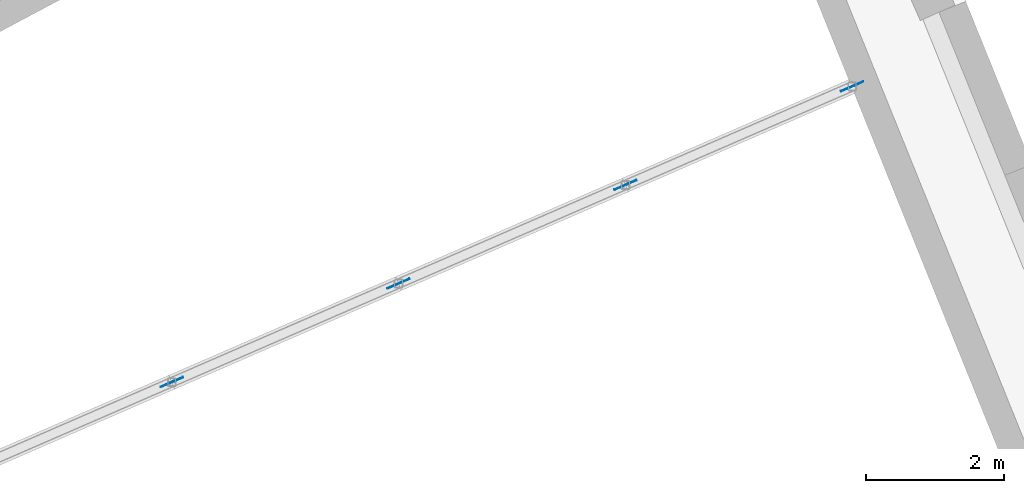
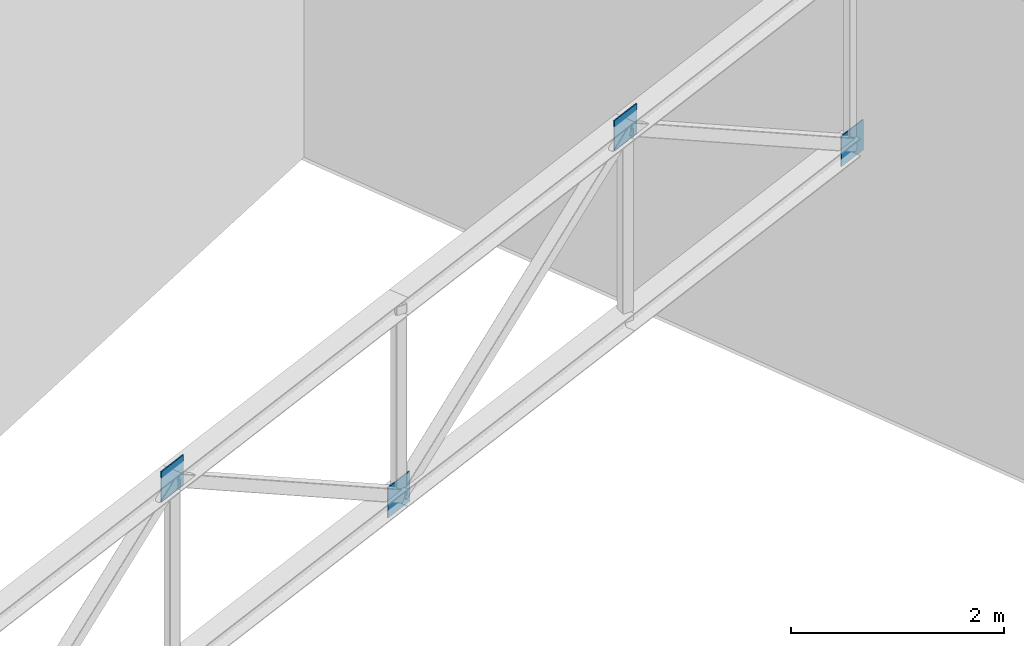
# One storey, part 76 of 112: 4 discrete accessories.
"""IFC4 building model written with IfcOpenShell, lengths in metres."""

from ifc_helpers import new_model, si_unit, direction, frame, origin, origin_2d, place, context, subcontext, project, spatial, rectangle, extrude, material, layer, layer_set, type_object, element, save


model = new_model("IFC4")

# Units and contexts
model_context = context("Model", 3, precision=1e-05, world=origin(), true_north=direction((0.0, 1.0)))
body_context = subcontext(model_context, "Body", "Model", "MODEL_VIEW")
ifc_project = project(units=[si_unit("LENGTHUNIT", "METRE"), si_unit("AREAUNIT", "SQUARE_METRE"), si_unit("VOLUMEUNIT", "CUBIC_METRE"), si_unit("PLANEANGLEUNIT", "RADIAN"), si_unit("MASSUNIT", "GRAM", prefix="KILO")], contexts=[model_context])

# Site, building, storey
site_placement = place(None, origin())
site = spatial("IfcSite", under=ifc_project, at=site_placement, CompositionType="ELEMENT")
building_placement = place(site_placement, origin())
building = spatial("IfcBuilding", under=site, at=building_placement, Name="Lunette Opera House", CompositionType="ELEMENT")
storey_placement = place(building_placement, frame((0.0, 0.0, 6.0)))
storey = spatial("IfcBuildingStorey", under=building, at=storey_placement, Name="L01", CompositionType="ELEMENT", Elevation=6.0)

# Discrete accessories
ifc_material = material(Name="Steel S355", Category="steel")
ifc_layer = layer(ifc_material, 0.011962890625)
ifc_layer_set = layer_set([ifc_layer], Name="Steel S355")
discrete_accessory_type = type_object("IfcDiscreteAccessoryType", Name="BRACE GUSSET PLATE 12", PredefinedType="USERDEFINED", material=ifc_layer_set)
for number, where, z_axis, x_axis, name in (
    (1, (164.426025390625, 29.7529296875, 5.0), (0.0, 0.0, 1.0), (0.91698141438, 0.39892992578, 0.0), "Gusset plate 315"),
    (2, (167.712890625, 31.181884765625, 2.800048828125), (0.0, 0.0, 1.0), (0.917083039162, 0.398696249395, 0.0), "Gusset plate 316"),
    (3, (171.0009765625, 32.611083984375, 5.0), (0.0, 0.0, 1.0), (0.917127568239, 0.39859380775, 0.0), "Gusset plate 317"),
    (4, (174.2880859375, 34.0400390625, 2.800048828125), (0.0, 0.0, 1.0), (0.917083039162, 0.398696249395, 0.0), "Gusset plate 318"),
):
    element("IfcDiscreteAccessory", number, at=place(storey_placement, frame(where, z_axis=z_axis, x_axis=x_axis)), inside=storey, type_object=discrete_accessory_type, Name=name, ObjectType="GUSSET PLATE", PredefinedType="USERDEFINED", context=body_context, shape_type="SweptSolid", body=[
        extrude(rectangle(XDim=0.35009765625, YDim=0.011962890625, at=origin_2d()), origin(), (0.0, 0.0, 1.0), 0.35009765625),
    ])

save(model, "model.ifc")
